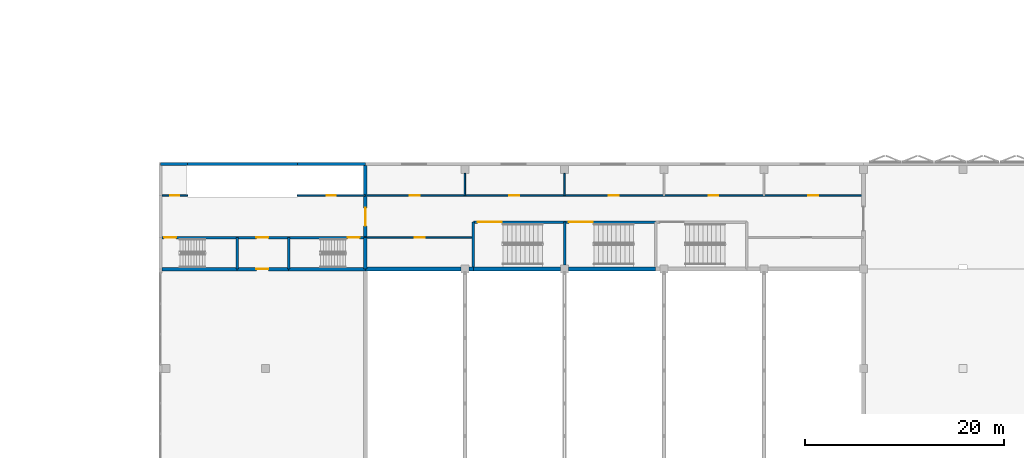
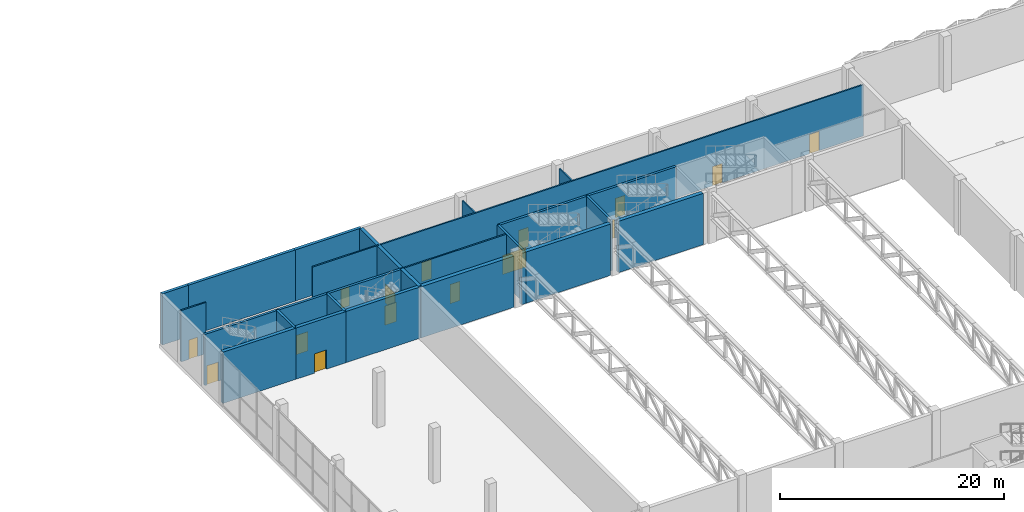
# One storey, part 34 of 51: 27 walls, 15 doors, 15 openings.
"""IFC4 building model written with IfcOpenShell, lengths in metres."""

from ifc_helpers import new_model, si_unit, direction, frame, frame_2d, origin, place, context, subcontext, project, spatial, rectangle, extrude, material, layer, layer_set, type_object, element, fill, save


model = new_model("IFC4")

# Units and contexts
model_context = context("Model", 3, precision=1e-05, world=origin(), true_north=direction((0.0, 1.0)))
body_context = subcontext(model_context, "Body", "Model", "MODEL_VIEW")
ifc_project = project(units=[si_unit("LENGTHUNIT", "METRE"), si_unit("AREAUNIT", "SQUARE_METRE"), si_unit("VOLUMEUNIT", "CUBIC_METRE"), si_unit("PLANEANGLEUNIT", "RADIAN"), si_unit("MASSUNIT", "GRAM", prefix="KILO")], contexts=[model_context])

# Site, building, storey
site_placement = place(None, origin())
site = spatial("IfcSite", under=ifc_project, at=site_placement, CompositionType="ELEMENT")
building_placement = place(site_placement, origin())
building = spatial("IfcBuilding", under=site, at=building_placement, Name="Jabali Bay Hotel Tower and Convention Centre", CompositionType="ELEMENT")
storey_placement = place(building_placement, frame((0.0, 0.0, 9.0)))
storey = spatial("IfcBuildingStorey", under=building, at=storey_placement, Name="L01", CompositionType="ELEMENT", Elevation=9.0)

# Wall
ifc_material_1 = material(Name="Concrete C60", Category="concrete")
ifc_layer_1 = layer(ifc_material_1, 0.35009765625)
ifc_layer_set_1 = layer_set([ifc_layer_1], Name="Concrete C60")
wall_type_1 = type_object("IfcWallType", Name="CC Core Wall 350", PredefinedType="SHEAR", material=ifc_layer_set_1)
wall_1_placement = place(storey_placement, frame((150.300048828125, 100.0, 0.0), z_axis=(0.0, 0.0, 1.0), x_axis=(1.0, 0.0, 0.0)))
element("IfcWall", 1, at=wall_1_placement, inside=storey, type_object=wall_type_1, Name="CC west core wall", PredefinedType="SHEAR", context=body_context, shape_type="SweptSolid", body=[
    extrude(rectangle(XDim=7.52490234375, YDim=0.35009765625, at=frame_2d((3.762451171875, 0.0))), origin(), (0.0, 0.0, 1.0), 5.590087890625),
])

# Wall, opening, door
wall_2_placement = place(storey_placement, frame((163.0, 100.0, 0.0), z_axis=(0.0, 0.0, 1.0), x_axis=(-1.0, 0.0, 0.0)))
wall_2 = element("IfcWall", 2, at=wall_2_placement, inside=storey, type_object=wall_type_1, Name="CC west core wall", PredefinedType="SHEAR", context=body_context, shape_type="SweptSolid", body=[
    extrude(rectangle(XDim=5.175048828125, YDim=0.35009765625, at=frame_2d((2.58740234375, 0.0))), origin(), (0.0, 0.0, 1.0), 5.590087890625),
])
opening_1_placement = place(wall_2_placement, frame((2.02490234375, 0.0, 0.0)))
opening_1 = element("IfcOpeningElement", 3, at=opening_1_placement, cuts=wall_2, Name="Opening CC-D025", PredefinedType="OPENING", context=body_context, shape_type="SweptSolid", body=[
    extrude(rectangle(XDim=1.199951171875, YDim=2.10009765625, at=frame_2d((0.60009765625, 1.050048828125))), frame((0.0, 0.185546875, 0.0), z_axis=(0.0, -1.0, 0.0), x_axis=(1.0, 0.0, 0.0)), (0.0, 0.0, 1.0), 0.37109375),
])
ifc_material_2 = material(Name="Timber and steel door set", Category="steel")
door_type_1 = type_object("IfcDoorType", Name="CC Vestibule Door 1200x2100", OperationType="NOTDEFINED", PredefinedType="DOOR", material=ifc_material_2)
door_1_placement = place(opening_1_placement, origin())
door_1 = element("IfcDoor", 4, at=door_1_placement, inside=storey, type_object=door_type_1, Name="CC door CC-D025", OperationType="SINGLE_SWING_LEFT", OverallHeight=2.10009765625, OverallWidth=1.199951171875, PredefinedType="DOOR", context=body_context, shape_type="SweptSolid", body=[
    extrude(rectangle(XDim=1.199951171875, YDim=2.10009765625, at=frame_2d((0.60009765625, 1.050048828125))), frame((0.0, 0.02490234375, 0.0), z_axis=(0.0, -1.0, 0.0), x_axis=(1.0, 0.0, 0.0)), (0.0, 0.0, 1.0), 0.050048828125),
])
fill(opening_1, door_1)

# Walls
wall_3_placement = place(storey_placement, frame((163.0, 100.0, 0.0), z_axis=(0.0, 0.0, 1.0), x_axis=(1.0, 0.0, 0.0)))
element("IfcWall", 5, at=wall_3_placement, inside=storey, type_object=wall_type_1, Name="CC west core wall", PredefinedType="SHEAR", context=body_context, shape_type="SweptSolid", body=[
    extrude(rectangle(XDim=7.699951171875, YDim=0.35009765625, at=frame_2d((3.85009765625, 0.0))), origin(), (0.0, 0.0, 1.0), 5.590087890625),
])
wall_4_placement = place(storey_placement, frame((170.699951171875, 100.0, 0.0), z_axis=(0.0, 0.0, 1.0), x_axis=(0.0, 1.0, 0.0)))
element("IfcWall", 6, at=wall_4_placement, inside=storey, type_object=wall_type_1, Name="CC west core wall", PredefinedType="SHEAR", context=body_context, shape_type="SweptSolid", body=[
    extrude(rectangle(XDim=3.14990234375, YDim=0.35009765625, at=frame_2d((1.574951171875, 0.0))), origin(), (0.0, 0.0, 1.0), 5.590087890625),
])

# Wall, opening, door
wall_5_placement = place(storey_placement, frame((170.699951171875, 103.14990234375, 0.0), z_axis=(0.0, 0.0, 1.0), x_axis=(0.0, 1.0, 0.0)))
wall_5 = element("IfcWall", 7, at=wall_5_placement, inside=storey, type_object=wall_type_1, Name="CC west core wall", PredefinedType="SHEAR", context=body_context, shape_type="SweptSolid", body=[
    extrude(rectangle(XDim=7.25, YDim=0.35009765625, at=frame_2d((3.625, 0.0))), origin(), (0.0, 0.0, 1.0), 5.590087890625),
])
opening_2_placement = place(wall_5_placement, frame((1.199951171875, 0.0, 0.0)))
opening_2 = element("IfcOpeningElement", 8, at=opening_2_placement, cuts=wall_5, Name="Opening CC-D027", PredefinedType="OPENING", context=body_context, shape_type="SweptSolid", body=[
    extrude(rectangle(XDim=1.800048828125, YDim=2.10009765625, at=frame_2d((0.89990234375, 1.050048828125))), frame((0.0, 0.185546875, 0.0), z_axis=(0.0, -1.0, 0.0), x_axis=(1.0, 0.0, 0.0)), (0.0, 0.0, 1.0), 0.37109375),
])
door_type_2 = type_object("IfcDoorType", Name="CC Double Door 1800x2100", OperationType="NOTDEFINED", PredefinedType="DOOR", material=ifc_material_2)
door_2_placement = place(opening_2_placement, origin())
door_2 = element("IfcDoor", 9, at=door_2_placement, inside=storey, type_object=door_type_2, Name="CC door CC-D027", OperationType="DOUBLE_DOOR_SINGLE_SWING", OverallHeight=2.10009765625, OverallWidth=1.800048828125, PredefinedType="DOOR", context=body_context, shape_type="SweptSolid", body=[
    extrude(rectangle(XDim=1.800048828125, YDim=2.10009765625, at=frame_2d((0.89990234375, 1.050048828125))), frame((0.0, 0.02490234375, 0.0), z_axis=(0.0, -1.0, 0.0), x_axis=(1.0, 0.0, 0.0)), (0.0, 0.0, 1.0), 0.050048828125),
])
fill(opening_2, door_2)

# Walls
ifc_material_3 = material(Name="Concrete C40", Category="concrete")
ifc_layer_2 = layer(ifc_material_3, 0.300048828125)
ifc_layer_set_2 = layer_set([ifc_layer_2], Name="Concrete C40")
wall_type_2 = type_object("IfcWallType", Name="CC External Wall 300", PredefinedType="SOLIDWALL", material=ifc_layer_set_2)
wall_6_placement = place(storey_placement, frame((150.14990234375, 110.550048828125, 0.0), z_axis=(0.0, 0.0, 1.0), x_axis=(1.0, 0.0, 0.0)))
element("IfcWall", 10, at=wall_6_placement, inside=storey, type_object=wall_type_2, Name="CC wall 155", PredefinedType="SOLIDWALL", context=body_context, shape_type="SweptSolid", body=[
    extrude(rectangle(XDim=2.72509765625, YDim=0.300048828125, at=frame_2d((1.362548828125, 0.0))), origin(), (0.0, 0.0, 1.0), 5.590087890625),
])
wall_7_placement = place(storey_placement, frame((163.875, 110.550048828125, 0.0), z_axis=(0.0, 0.0, 1.0), x_axis=(1.0, 0.0, 0.0)))
element("IfcWall", 11, at=wall_7_placement, inside=storey, type_object=wall_type_2, Name="CC wall 158", PredefinedType="SOLIDWALL", context=body_context, shape_type="SweptSolid", body=[
    extrude(rectangle(XDim=6.824951171875, YDim=0.300048828125, at=frame_2d((3.41259765625, 0.0))), origin(), (0.0, 0.0, 1.0), 5.590087890625),
])
wall_8_placement = place(storey_placement, frame((152.875, 110.550048828125, 0.0), z_axis=(0.0, 0.0, 1.0), x_axis=(1.0, 0.0, 0.0)))
element("IfcWall", 12, at=wall_8_placement, inside=storey, type_object=wall_type_2, Name="CC wall 284", PredefinedType="SOLIDWALL", context=body_context, shape_type="SweptSolid", body=[
    extrude(rectangle(XDim=11.0, YDim=0.300048828125, at=frame_2d((5.5, 0.0))), origin(), (0.0, 0.0, 1.0), 5.590087890625),
])
ifc_layer_3 = layer(ifc_material_3, 0.39990234375)
ifc_layer_set_3 = layer_set([ifc_layer_3], Name="Concrete C40")
wall_type_3 = type_object("IfcWallType", Name="CC Hall Wall 400", PredefinedType="SHEAR", material=ifc_layer_set_3)
wall_9_placement = place(storey_placement, frame((170.699951171875, 100.0, 0.0), z_axis=(0.0, 0.0, 1.0), x_axis=(1.0, 0.0, 0.0)))
element("IfcWall", 13, at=wall_9_placement, inside=storey, type_object=wall_type_3, Name="CC exhibition hall wall", PredefinedType="SHEAR", context=body_context, shape_type="SweptSolid", body=[
    extrude(rectangle(XDim=9.60009765625, YDim=0.39990234375, at=frame_2d((4.800048828125, 0.0))), origin(), (0.0, 0.0, 1.0), 5.590087890625),
])
wall_10_placement = place(storey_placement, frame((181.10009765625, 100.0, 0.0), z_axis=(0.0, 0.0, 1.0), x_axis=(1.0, 0.0, 0.0)))
element("IfcWall", 14, at=wall_10_placement, inside=storey, type_object=wall_type_3, Name="CC exhibition hall wall", PredefinedType="SHEAR", context=body_context, shape_type="SweptSolid", body=[
    extrude(rectangle(XDim=0.449951171875, YDim=0.39990234375, at=frame_2d((0.22509765625, 0.0))), origin(), (0.0, 0.0, 1.0), 5.590087890625),
])
for number, where, z_axis, x_axis, name in (
    (15, (181.550048828125, 100.0, 0.0), (0.0, 0.0, 1.0), (1.0, 0.0, 0.0), "CC exhibition hall wall"),
    (16, (191.10009765625, 100.0, 0.0), (0.0, 0.0, 1.0), (1.0, 0.0, 0.0), "CC exhibition hall wall"),
):
    element("IfcWall", number, at=place(storey_placement, frame(where, z_axis=z_axis, x_axis=x_axis)), inside=storey, type_object=wall_type_3, Name=name, PredefinedType="SHEAR", context=body_context, shape_type="SweptSolid", body=[
        extrude(rectangle(XDim=8.75, YDim=0.39990234375, at=frame_2d((4.375, 0.0))), origin(), (0.0, 0.0, 1.0), 5.590087890625),
    ])

# Wall, opening, door
ifc_material_4 = material(Name="Blockwork M10", Category="masonry")
ifc_layer_4 = layer(ifc_material_4, 0.14990234375)
ifc_layer_set_4 = layer_set([ifc_layer_4], Name="Blockwork M10")
wall_type_4 = type_object("IfcWallType", Name="CC Partition 150", PredefinedType="PARTITIONING", material=ifc_layer_set_4)
wall_11_placement = place(storey_placement, frame((150.300048828125, 107.375, 0.0), z_axis=(0.0, 0.0, 1.0), x_axis=(1.0, 0.0, 0.0)))
wall_11 = element("IfcWall", 17, at=wall_11_placement, inside=storey, type_object=wall_type_4, Name="CC wall 154", PredefinedType="PARTITIONING", context=body_context, shape_type="SweptSolid", body=[
    extrude(rectangle(XDim=2.574951171875, YDim=0.14990234375, at=frame_2d((1.28759765625, 0.0))), origin(), (0.0, 0.0, 1.0), 5.590087890625),
])
opening_3_placement = place(wall_11_placement, frame((0.800048828125, 0.0, 0.0)))
opening_3 = element("IfcOpeningElement", 18, at=opening_3_placement, cuts=wall_11, Name="Opening CC-D144", PredefinedType="OPENING", context=body_context, shape_type="SweptSolid", body=[
    extrude(rectangle(XDim=0.89990234375, YDim=2.10009765625, at=frame_2d((0.449951171875, 1.050048828125))), frame((0.0, 0.08544921875, 0.0), z_axis=(0.0, -1.0, 0.0), x_axis=(1.0, 0.0, 0.0)), (0.0, 0.0, 1.0), 0.1708984375),
])
door_type_3 = type_object("IfcDoorType", Name="CC Riser Door 900x2100", OperationType="NOTDEFINED", PredefinedType="DOOR", material=ifc_material_2)
door_3_placement = place(opening_3_placement, origin())
door_3 = element("IfcDoor", 19, at=door_3_placement, inside=storey, type_object=door_type_3, Name="CC door CC-D144", OperationType="SINGLE_SWING_RIGHT", OverallHeight=2.10009765625, OverallWidth=0.89990234375, PredefinedType="DOOR", context=body_context, shape_type="SweptSolid", body=[
    extrude(rectangle(XDim=0.89990234375, YDim=2.10009765625, at=frame_2d((0.449951171875, 1.050048828125))), frame((0.0, 0.02490234375, 0.0), z_axis=(0.0, -1.0, 0.0), x_axis=(1.0, 0.0, 0.0)), (0.0, 0.0, 1.0), 0.050048828125),
])
fill(opening_3, door_3)

wall_12_placement = place(storey_placement, frame((163.875, 107.375, 0.0), z_axis=(0.0, 0.0, 1.0), x_axis=(1.0, 0.0, 0.0)))
wall_12 = element("IfcWall", 20, at=wall_12_placement, inside=storey, type_object=wall_type_4, Name="CC wall 157", PredefinedType="PARTITIONING", context=body_context, shape_type="SweptSolid", body=[
    extrude(rectangle(XDim=6.824951171875, YDim=0.14990234375, at=frame_2d((3.41259765625, 0.0))), origin(), (0.0, 0.0, 1.0), 5.590087890625),
])
opening_4_placement = place(wall_12_placement, frame((2.949951171875, 0.0, 0.0)))
opening_4 = element("IfcOpeningElement", 21, at=opening_4_placement, cuts=wall_12, Name="Opening CC-D145", PredefinedType="OPENING", context=body_context, shape_type="SweptSolid", body=[
    extrude(rectangle(XDim=0.89990234375, YDim=2.10009765625, at=frame_2d((0.449951171875, 1.050048828125))), frame((0.0, 0.08544921875, 0.0), z_axis=(0.0, -1.0, 0.0), x_axis=(1.0, 0.0, 0.0)), (0.0, 0.0, 1.0), 0.1708984375),
])
door_4_placement = place(opening_4_placement, origin())
door_4 = element("IfcDoor", 22, at=door_4_placement, inside=storey, type_object=door_type_3, Name="CC door CC-D145", OperationType="SINGLE_SWING_LEFT", OverallHeight=2.10009765625, OverallWidth=0.89990234375, PredefinedType="DOOR", context=body_context, shape_type="SweptSolid", body=[
    extrude(rectangle(XDim=0.89990234375, YDim=2.10009765625, at=frame_2d((0.449951171875, 1.050048828125))), frame((0.0, 0.02490234375, 0.0), z_axis=(0.0, -1.0, 0.0), x_axis=(1.0, 0.0, 0.0)), (0.0, 0.0, 1.0), 0.050048828125),
])
fill(opening_4, door_4)

wall_13_placement = place(storey_placement, frame((170.699951171875, 103.14990234375, 0.0), z_axis=(0.0, 0.0, 1.0), x_axis=(1.0, 0.0, 0.0)))
wall_13 = element("IfcWall", 23, at=wall_13_placement, inside=storey, type_object=wall_type_4, Name="CC wall 405", PredefinedType="PARTITIONING", context=body_context, shape_type="SweptSolid", body=[
    extrude(rectangle(XDim=10.85009765625, YDim=0.14990234375, at=frame_2d((5.425048828125, 0.0))), origin(), (0.0, 0.0, 1.0), 5.590087890625),
])
opening_5_placement = place(wall_13_placement, frame((4.949951171875, 0.0, 0.0)))
opening_5 = element("IfcOpeningElement", 24, at=opening_5_placement, cuts=wall_13, Name="Opening CC-D103", PredefinedType="OPENING", context=body_context, shape_type="SweptSolid", body=[
    extrude(rectangle(XDim=1.0, YDim=2.10009765625, at=frame_2d((0.5, 1.050048828125))), frame((0.0, 0.08544921875, 0.0), z_axis=(0.0, -1.0, 0.0), x_axis=(1.0, 0.0, 0.0)), (0.0, 0.0, 1.0), 0.1708984375),
])
door_type_4 = type_object("IfcDoorType", Name="CC Single Door 1000x2100", OperationType="NOTDEFINED", PredefinedType="DOOR", material=ifc_material_2)
door_5_placement = place(opening_5_placement, origin())
door_5 = element("IfcDoor", 25, at=door_5_placement, inside=storey, type_object=door_type_4, Name="CC door CC-D103", OperationType="SINGLE_SWING_LEFT", OverallHeight=2.10009765625, OverallWidth=1.0, PredefinedType="DOOR", context=body_context, shape_type="SweptSolid", body=[
    extrude(rectangle(XDim=1.0, YDim=2.10009765625, at=frame_2d((0.5, 1.050048828125))), frame((0.0, 0.02490234375, 0.0), z_axis=(0.0, -1.0, 0.0), x_axis=(1.0, 0.0, 0.0)), (0.0, 0.0, 1.0), 0.050048828125),
])
fill(opening_5, door_5)

# Wall, openings, doors
wall_14_placement = place(storey_placement, frame((220.699951171875, 107.375, 0.0), z_axis=(0.0, 0.0, 1.0), x_axis=(-1.0, 0.0, 0.0)))
wall_14 = element("IfcWall", 26, at=wall_14_placement, inside=storey, type_object=wall_type_4, Name="CC wall 407", PredefinedType="PARTITIONING", context=body_context, shape_type="SweptSolid", body=[
    extrude(rectangle(XDim=50.0, YDim=0.14990234375, at=frame_2d((25.0, 0.0))), origin(), (0.0, 0.0, 1.0), 5.590087890625),
])
opening_6_placement = place(wall_14_placement, frame((44.550048828125, 0.0, 0.0)))
opening_6 = element("IfcOpeningElement", 27, at=opening_6_placement, cuts=wall_14, Name="Opening CC-D105", PredefinedType="OPENING", context=body_context, shape_type="SweptSolid", body=[
    extrude(rectangle(XDim=1.0, YDim=2.10009765625, at=frame_2d((0.5, 1.050048828125))), frame((0.0, 0.08544921875, 0.0), z_axis=(0.0, -1.0, 0.0), x_axis=(1.0, 0.0, 0.0)), (0.0, 0.0, 1.0), 0.1708984375),
])
opening_7_placement = place(wall_14_placement, frame((34.550048828125, 0.0, 0.0)))
opening_7 = element("IfcOpeningElement", 28, at=opening_7_placement, cuts=wall_14, Name="Opening CC-D106", PredefinedType="OPENING", context=body_context, shape_type="SweptSolid", body=[
    extrude(rectangle(XDim=1.0, YDim=2.10009765625, at=frame_2d((0.5, 1.050048828125))), frame((0.0, 0.08544921875, 0.0), z_axis=(0.0, -1.0, 0.0), x_axis=(1.0, 0.0, 0.0)), (0.0, 0.0, 1.0), 0.1708984375),
])
opening_8_placement = place(wall_14_placement, frame((24.550048828125, 0.0, 0.0)))
opening_8 = element("IfcOpeningElement", 29, at=opening_8_placement, cuts=wall_14, Name="Opening CC-D107", PredefinedType="OPENING", context=body_context, shape_type="SweptSolid", body=[
    extrude(rectangle(XDim=1.0, YDim=2.10009765625, at=frame_2d((0.5, 1.050048828125))), frame((0.0, 0.08544921875, 0.0), z_axis=(0.0, -1.0, 0.0), x_axis=(1.0, 0.0, 0.0)), (0.0, 0.0, 1.0), 0.1708984375),
])
opening_9_placement = place(wall_14_placement, frame((14.550048828125, 0.0, 0.0)))
opening_9 = element("IfcOpeningElement", 30, at=opening_9_placement, cuts=wall_14, Name="Opening CC-D108", PredefinedType="OPENING", context=body_context, shape_type="SweptSolid", body=[
    extrude(rectangle(XDim=1.0, YDim=2.10009765625, at=frame_2d((0.5, 1.050048828125))), frame((0.0, 0.08544921875, 0.0), z_axis=(0.0, -1.0, 0.0), x_axis=(1.0, 0.0, 0.0)), (0.0, 0.0, 1.0), 0.1708984375),
])
opening_10_placement = place(wall_14_placement, frame((4.550048828125, 0.0, 0.0)))
opening_10 = element("IfcOpeningElement", 31, at=opening_10_placement, cuts=wall_14, Name="Opening CC-D109", PredefinedType="OPENING", context=body_context, shape_type="SweptSolid", body=[
    extrude(rectangle(XDim=1.0, YDim=2.10009765625, at=frame_2d((0.5, 1.050048828125))), frame((0.0, 0.08544921875, 0.0), z_axis=(0.0, -1.0, 0.0), x_axis=(1.0, 0.0, 0.0)), (0.0, 0.0, 1.0), 0.1708984375),
])
door_6_placement = place(opening_6_placement, origin())
door_6 = element("IfcDoor", 32, at=door_6_placement, inside=storey, type_object=door_type_4, Name="CC door CC-D105", OperationType="SINGLE_SWING_LEFT", OverallHeight=2.10009765625, OverallWidth=1.0, PredefinedType="DOOR", context=body_context, shape_type="SweptSolid", body=[
    extrude(rectangle(XDim=1.0, YDim=2.10009765625, at=frame_2d((0.5, 1.050048828125))), frame((0.0, 0.02490234375, 0.0), z_axis=(0.0, -1.0, 0.0), x_axis=(1.0, 0.0, 0.0)), (0.0, 0.0, 1.0), 0.050048828125),
])
fill(opening_6, door_6)
door_7_placement = place(opening_7_placement, origin())
door_7 = element("IfcDoor", 33, at=door_7_placement, inside=storey, type_object=door_type_4, Name="CC door CC-D106", OperationType="SINGLE_SWING_RIGHT", OverallHeight=2.10009765625, OverallWidth=1.0, PredefinedType="DOOR", context=body_context, shape_type="SweptSolid", body=[
    extrude(rectangle(XDim=1.0, YDim=2.10009765625, at=frame_2d((0.5, 1.050048828125))), frame((0.0, 0.02490234375, 0.0), z_axis=(0.0, -1.0, 0.0), x_axis=(1.0, 0.0, 0.0)), (0.0, 0.0, 1.0), 0.050048828125),
])
fill(opening_7, door_7)
door_8_placement = place(opening_8_placement, origin())
door_8 = element("IfcDoor", 34, at=door_8_placement, inside=storey, type_object=door_type_4, Name="CC door CC-D107", OperationType="SINGLE_SWING_LEFT", OverallHeight=2.10009765625, OverallWidth=1.0, PredefinedType="DOOR", context=body_context, shape_type="SweptSolid", body=[
    extrude(rectangle(XDim=1.0, YDim=2.10009765625, at=frame_2d((0.5, 1.050048828125))), frame((0.0, 0.02490234375, 0.0), z_axis=(0.0, -1.0, 0.0), x_axis=(1.0, 0.0, 0.0)), (0.0, 0.0, 1.0), 0.050048828125),
])
fill(opening_8, door_8)
door_9_placement = place(opening_9_placement, origin())
door_9 = element("IfcDoor", 35, at=door_9_placement, inside=storey, type_object=door_type_4, Name="CC door CC-D108", OperationType="SINGLE_SWING_RIGHT", OverallHeight=2.10009765625, OverallWidth=1.0, PredefinedType="DOOR", context=body_context, shape_type="SweptSolid", body=[
    extrude(rectangle(XDim=1.0, YDim=2.10009765625, at=frame_2d((0.5, 1.050048828125))), frame((0.0, 0.02490234375, 0.0), z_axis=(0.0, -1.0, 0.0), x_axis=(1.0, 0.0, 0.0)), (0.0, 0.0, 1.0), 0.050048828125),
])
fill(opening_9, door_9)
door_10_placement = place(opening_10_placement, origin())
door_10 = element("IfcDoor", 36, at=door_10_placement, inside=storey, type_object=door_type_4, Name="CC door CC-D109", OperationType="SINGLE_SWING_LEFT", OverallHeight=2.10009765625, OverallWidth=1.0, PredefinedType="DOOR", context=body_context, shape_type="SweptSolid", body=[
    extrude(rectangle(XDim=1.0, YDim=2.10009765625, at=frame_2d((0.5, 1.050048828125))), frame((0.0, 0.02490234375, 0.0), z_axis=(0.0, -1.0, 0.0), x_axis=(1.0, 0.0, 0.0)), (0.0, 0.0, 1.0), 0.050048828125),
])
fill(opening_10, door_10)

# Walls
for number, where, z_axis, x_axis, name in (
    (37, (180.699951171875, 107.375, 0.0), (0.0, 0.0, 1.0), (0.0, 1.0, 0.0), "CC wall 408"),
    (38, (190.699951171875, 107.375, 0.0), (0.0, 0.0, 1.0), (0.0, 1.0, 0.0), "CC wall 409"),
):
    element("IfcWall", number, at=place(storey_placement, frame(where, z_axis=z_axis, x_axis=x_axis)), inside=storey, type_object=wall_type_4, Name=name, PredefinedType="PARTITIONING", context=body_context, shape_type="SweptSolid", body=[
        extrude(rectangle(XDim=2.22509765625, YDim=0.14990234375, at=frame_2d((1.112548828125, 0.0))), origin(), (0.0, 0.0, 1.0), 5.590087890625),
    ])

# Wall, opening, door
ifc_layer_5 = layer(ifc_material_3, 0.25)
ifc_layer_set_5 = layer_set([ifc_layer_5], Name="Concrete C40")
wall_type_5 = type_object("IfcWallType", Name="CC Shaft Wall 250", PredefinedType="SHEAR", material=ifc_layer_set_5)
wall_15_placement = place(storey_placement, frame((150.300048828125, 103.14990234375, 0.0), z_axis=(0.0, 0.0, 1.0), x_axis=(1.0, 0.0, 0.0)))
wall_15 = element("IfcWall", 39, at=wall_15_placement, inside=storey, type_object=wall_type_5, Name="CC west core wall", PredefinedType="SHEAR", context=body_context, shape_type="SweptSolid", body=[
    extrude(rectangle(XDim=7.52490234375, YDim=0.25, at=frame_2d((3.762451171875, 0.0))), origin(), (0.0, 0.0, 1.0), 5.590087890625),
])
opening_11_placement = place(wall_15_placement, frame((0.199951171875, 0.0, 0.0)))
opening_11 = element("IfcOpeningElement", 40, at=opening_11_placement, cuts=wall_15, Name="Opening CC-D137", PredefinedType="OPENING", context=body_context, shape_type="SweptSolid", body=[
    extrude(rectangle(XDim=1.199951171875, YDim=2.10009765625, at=frame_2d((0.60009765625, 1.050048828125))), frame((0.0, 0.135498046875, 0.0), z_axis=(0.0, -1.0, 0.0), x_axis=(1.0, 0.0, 0.0)), (0.0, 0.0, 1.0), 0.27099609375),
])
door_type_5 = type_object("IfcDoorType", Name="CC Stair Door 1200x2100", OperationType="NOTDEFINED", PredefinedType="DOOR", material=ifc_material_2)
door_11_placement = place(opening_11_placement, origin())
door_11 = element("IfcDoor", 41, at=door_11_placement, inside=storey, type_object=door_type_5, Name="CC door CC-D137", OperationType="SINGLE_SWING_LEFT", OverallHeight=2.10009765625, OverallWidth=1.199951171875, PredefinedType="DOOR", context=body_context, shape_type="SweptSolid", body=[
    extrude(rectangle(XDim=1.199951171875, YDim=2.10009765625, at=frame_2d((0.60009765625, 1.050048828125))), frame((0.0, 0.02490234375, 0.0), z_axis=(0.0, -1.0, 0.0), x_axis=(1.0, 0.0, 0.0)), (0.0, 0.0, 1.0), 0.050048828125),
])
fill(opening_11, door_11)

wall_16_placement = place(storey_placement, frame((157.824951171875, 103.14990234375, 0.0), z_axis=(0.0, 0.0, 1.0), x_axis=(1.0, 0.0, 0.0)))
wall_16 = element("IfcWall", 42, at=wall_16_placement, inside=storey, type_object=wall_type_5, Name="CC west core wall", PredefinedType="SHEAR", context=body_context, shape_type="SweptSolid", body=[
    extrude(rectangle(XDim=5.175048828125, YDim=0.25, at=frame_2d((2.58740234375, 0.0))), origin(), (0.0, 0.0, 1.0), 5.590087890625),
])
opening_12_placement = place(wall_16_placement, frame((1.949951171875, 0.0, 0.0)))
opening_12 = element("IfcOpeningElement", 43, at=opening_12_placement, cuts=wall_16, Name="Opening CC-D139", PredefinedType="OPENING", context=body_context, shape_type="SweptSolid", body=[
    extrude(rectangle(XDim=1.199951171875, YDim=2.10009765625, at=frame_2d((0.60009765625, 1.050048828125))), frame((0.0, 0.135498046875, 0.0), z_axis=(0.0, -1.0, 0.0), x_axis=(1.0, 0.0, 0.0)), (0.0, 0.0, 1.0), 0.27099609375),
])
door_12_placement = place(opening_12_placement, origin())
door_12 = element("IfcDoor", 44, at=door_12_placement, inside=storey, type_object=door_type_1, Name="CC door CC-D139", OperationType="SINGLE_SWING_LEFT", OverallHeight=2.10009765625, OverallWidth=1.199951171875, PredefinedType="DOOR", context=body_context, shape_type="SweptSolid", body=[
    extrude(rectangle(XDim=1.199951171875, YDim=2.10009765625, at=frame_2d((0.60009765625, 1.050048828125))), frame((0.0, 0.02490234375, 0.0), z_axis=(0.0, -1.0, 0.0), x_axis=(1.0, 0.0, 0.0)), (0.0, 0.0, 1.0), 0.050048828125),
])
fill(opening_12, door_12)

wall_17_placement = place(storey_placement, frame((163.0, 103.14990234375, 0.0), z_axis=(0.0, 0.0, 1.0), x_axis=(1.0, 0.0, 0.0)))
wall_17 = element("IfcWall", 45, at=wall_17_placement, inside=storey, type_object=wall_type_5, Name="CC west core wall", PredefinedType="SHEAR", context=body_context, shape_type="SweptSolid", body=[
    extrude(rectangle(XDim=7.699951171875, YDim=0.25, at=frame_2d((3.85009765625, 0.0))), origin(), (0.0, 0.0, 1.0), 5.590087890625),
])
opening_13_placement = place(wall_17_placement, frame((5.925048828125, 0.0, 0.0)))
opening_13 = element("IfcOpeningElement", 46, at=opening_13_placement, cuts=wall_17, Name="Opening CC-D138", PredefinedType="OPENING", context=body_context, shape_type="SweptSolid", body=[
    extrude(rectangle(XDim=1.199951171875, YDim=2.10009765625, at=frame_2d((0.60009765625, 1.050048828125))), frame((0.0, 0.135498046875, 0.0), z_axis=(0.0, -1.0, 0.0), x_axis=(1.0, 0.0, 0.0)), (0.0, 0.0, 1.0), 0.27099609375),
])
door_13_placement = place(opening_13_placement, origin())
door_13 = element("IfcDoor", 47, at=door_13_placement, inside=storey, type_object=door_type_5, Name="CC door CC-D138", OperationType="SINGLE_SWING_RIGHT", OverallHeight=2.10009765625, OverallWidth=1.199951171875, PredefinedType="DOOR", context=body_context, shape_type="SweptSolid", body=[
    extrude(rectangle(XDim=1.199951171875, YDim=2.10009765625, at=frame_2d((0.60009765625, 1.050048828125))), frame((0.0, 0.02490234375, 0.0), z_axis=(0.0, -1.0, 0.0), x_axis=(1.0, 0.0, 0.0)), (0.0, 0.0, 1.0), 0.050048828125),
])
fill(opening_13, door_13)

# Walls
for number, where, z_axis, x_axis, name in (
    (48, (157.824951171875, 100.0, 0.0), (0.0, 0.0, 1.0), (0.0, 1.0, 0.0), "CC west core wall"),
    (49, (163.0, 100.0, 0.0), (0.0, 0.0, 1.0), (0.0, 1.0, 0.0), "CC west core wall"),
):
    element("IfcWall", number, at=place(storey_placement, frame(where, z_axis=z_axis, x_axis=x_axis)), inside=storey, type_object=wall_type_5, Name=name, PredefinedType="SHEAR", context=body_context, shape_type="SweptSolid", body=[
        extrude(rectangle(XDim=3.14990234375, YDim=0.25, at=frame_2d((1.574951171875, 0.0))), origin(), (0.0, 0.0, 1.0), 5.590087890625),
    ])

# Wall, opening, door
wall_18_placement = place(storey_placement, frame((181.550048828125, 104.72509765625, 0.0), z_axis=(0.0, 0.0, 1.0), x_axis=(1.0, 0.0, 0.0)))
wall_18 = element("IfcWall", 50, at=wall_18_placement, inside=storey, type_object=wall_type_5, Name="CC wall 398", PredefinedType="SHEAR", context=body_context, shape_type="SweptSolid", body=[
    extrude(rectangle(XDim=9.14990234375, YDim=0.25, at=frame_2d((4.574951171875, 0.0))), origin(), (0.0, 0.0, 1.0), 5.590087890625),
])
opening_14_placement = place(wall_18_placement, frame((0.425048828125, 0.0, 0.0)))
opening_14 = element("IfcOpeningElement", 51, at=opening_14_placement, cuts=wall_18, Name="Opening CC-D232", PredefinedType="OPENING", context=body_context, shape_type="SweptSolid", body=[
    extrude(rectangle(XDim=2.39990234375, YDim=2.10009765625, at=frame_2d((1.199951171875, 1.050048828125))), frame((0.0, 0.135498046875, 0.0), z_axis=(0.0, -1.0, 0.0), x_axis=(1.0, 0.0, 0.0)), (0.0, 0.0, 1.0), 0.27099609375),
])
door_type_6 = type_object("IfcDoorType", Name="CC Stair Door Pair 2400x2100", OperationType="NOTDEFINED", PredefinedType="DOOR", material=ifc_material_2)
door_14_placement = place(opening_14_placement, origin())
door_14 = element("IfcDoor", 52, at=door_14_placement, inside=storey, type_object=door_type_6, Name="CC door CC-D232", OperationType="DOUBLE_DOOR_SINGLE_SWING", OverallHeight=2.10009765625, OverallWidth=2.39990234375, PredefinedType="DOOR", context=body_context, shape_type="SweptSolid", body=[
    extrude(rectangle(XDim=2.39990234375, YDim=2.10009765625, at=frame_2d((1.199951171875, 1.050048828125))), frame((0.0, 0.02490234375, 0.0), z_axis=(0.0, -1.0, 0.0), x_axis=(1.0, 0.0, 0.0)), (0.0, 0.0, 1.0), 0.050048828125),
])
fill(opening_14, door_14)

# Walls
wall_19_placement = place(storey_placement, frame((181.550048828125, 100.199951171875, 0.0), z_axis=(0.0, 0.0, 1.0), x_axis=(0.0, 1.0, 0.0)))
element("IfcWall", 53, at=wall_19_placement, inside=storey, type_object=wall_type_5, Name="CC wall 399", PredefinedType="SHEAR", context=body_context, shape_type="SweptSolid", body=[
    extrude(rectangle(XDim=4.525146484375, YDim=0.25, at=frame_2d((2.2626953125, 0.0))), origin(), (0.0, 0.0, 1.0), 5.590087890625),
])
wall_20_placement = place(storey_placement, frame((190.699951171875, 100.39990234375, 0.0), z_axis=(0.0, 0.0, 1.0), x_axis=(0.0, 1.0, 0.0)))
element("IfcWall", 54, at=wall_20_placement, inside=storey, type_object=wall_type_5, Name="CC wall 400", PredefinedType="SHEAR", context=body_context, shape_type="SweptSolid", body=[
    extrude(rectangle(XDim=4.3251953125, YDim=0.25, at=frame_2d((2.16259765625, 0.0))), origin(), (0.0, 0.0, 1.0), 5.590087890625),
])

# Wall, opening, door
wall_21_placement = place(storey_placement, frame((190.699951171875, 104.72509765625, 0.0), z_axis=(0.0, 0.0, 1.0), x_axis=(1.0, 0.0, 0.0)))
wall_21 = element("IfcWall", 55, at=wall_21_placement, inside=storey, type_object=wall_type_5, Name="CC wall 401", PredefinedType="SHEAR", context=body_context, shape_type="SweptSolid", body=[
    extrude(rectangle(XDim=9.150146484375, YDim=0.25, at=frame_2d((4.5751953125, 0.0))), origin(), (0.0, 0.0, 1.0), 5.590087890625),
])
opening_15_placement = place(wall_21_placement, frame((0.425048828125, 0.0, 0.0)))
opening_15 = element("IfcOpeningElement", 56, at=opening_15_placement, cuts=wall_21, Name="Opening CC-D236", PredefinedType="OPENING", context=body_context, shape_type="SweptSolid", body=[
    extrude(rectangle(XDim=2.39990234375, YDim=2.10009765625, at=frame_2d((1.199951171875, 1.050048828125))), frame((0.0, 0.135498046875, 0.0), z_axis=(0.0, -1.0, 0.0), x_axis=(1.0, 0.0, 0.0)), (0.0, 0.0, 1.0), 0.27099609375),
])
door_15_placement = place(opening_15_placement, origin())
door_15 = element("IfcDoor", 57, at=door_15_placement, inside=storey, type_object=door_type_6, Name="CC door CC-D236", OperationType="DOUBLE_DOOR_SINGLE_SWING", OverallHeight=2.10009765625, OverallWidth=2.39990234375, PredefinedType="DOOR", context=body_context, shape_type="SweptSolid", body=[
    extrude(rectangle(XDim=2.39990234375, YDim=2.10009765625, at=frame_2d((1.199951171875, 1.050048828125))), frame((0.0, 0.02490234375, 0.0), z_axis=(0.0, -1.0, 0.0), x_axis=(1.0, 0.0, 0.0)), (0.0, 0.0, 1.0), 0.050048828125),
])
fill(opening_15, door_15)

save(model, "model.ifc")
